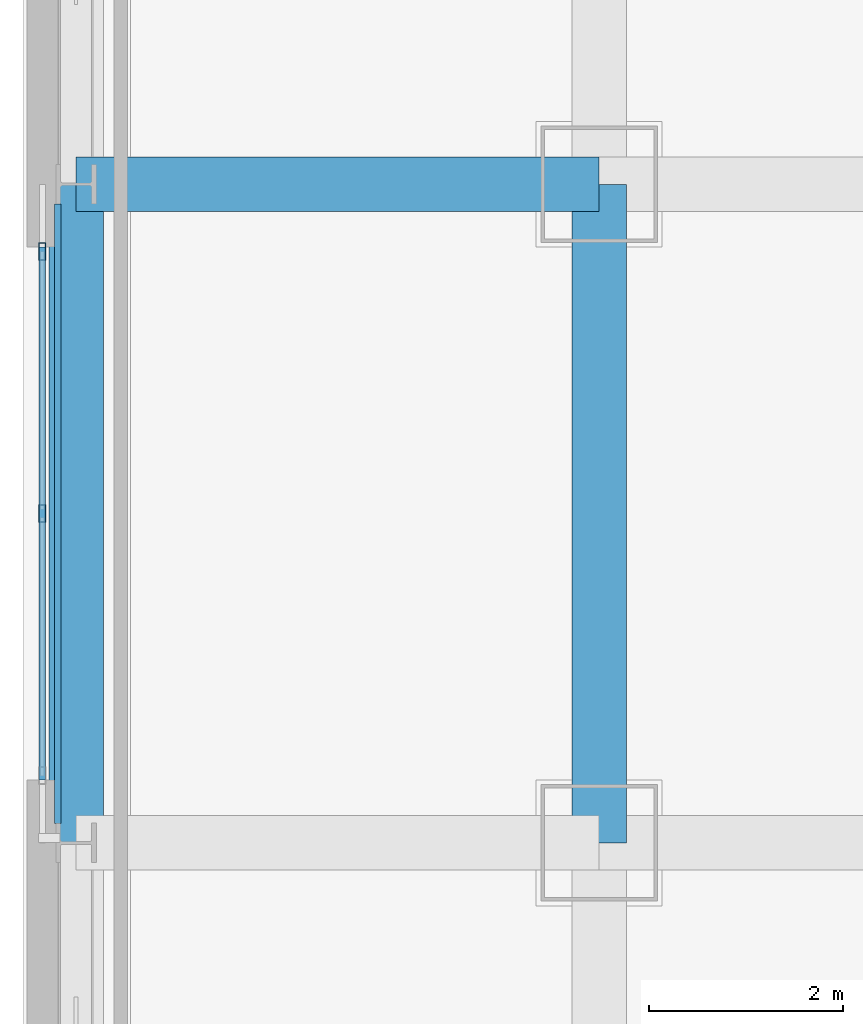
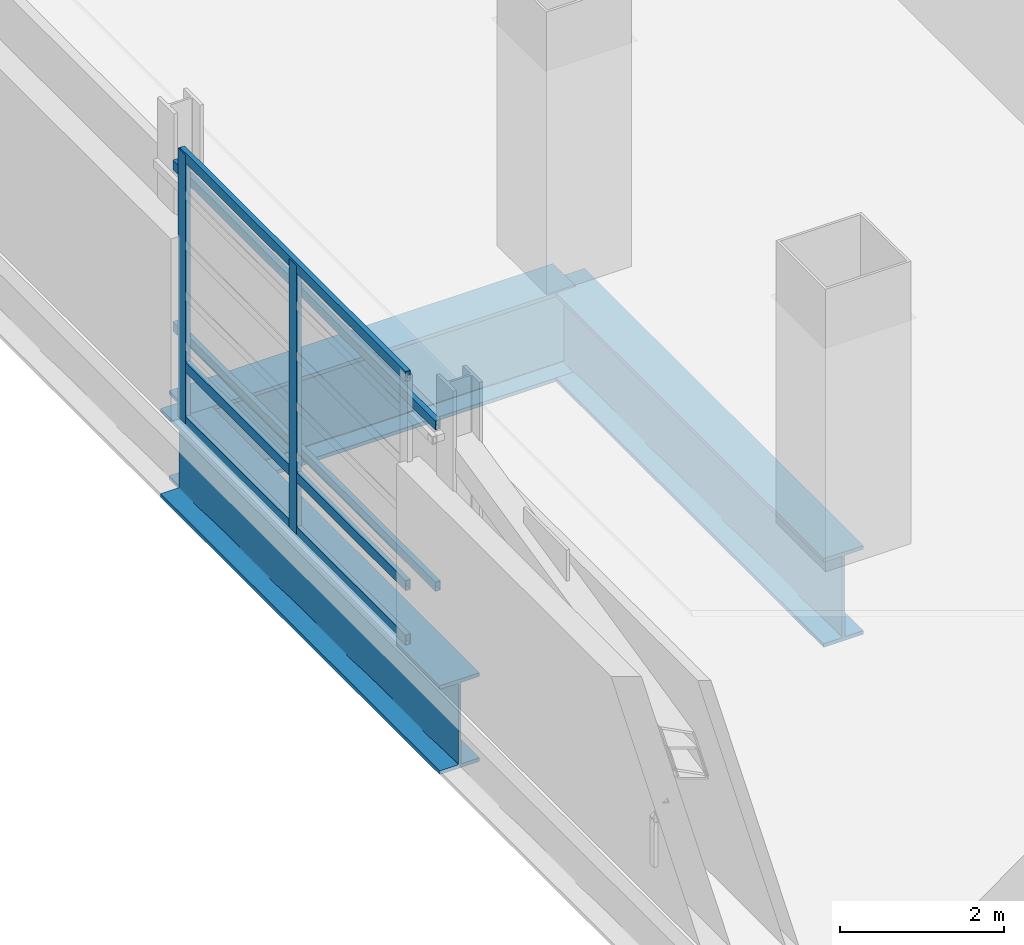
# One storey, part 5 of 31: 7 members, 3 beams, 1 element without a shape of its own.
"""IFC4 building model written with IfcOpenShell, lengths in metres."""

from ifc_helpers import new_model, si_unit, direction, frame, origin, origin_2d, place, context, subcontext, project, spatial, hollow_rectangle, i_section, extrude, material, material_profile, profile_set, type_object, element, aggregate, save


model = new_model("IFC4")

# Units and contexts
model_context = context("Model", 3, precision=1e-05, world=origin(), true_north=direction((0.0, 1.0)))
body_context = subcontext(model_context, "Body", "Model", "MODEL_VIEW")
ifc_project = project(units=[si_unit("LENGTHUNIT", "METRE"), si_unit("AREAUNIT", "SQUARE_METRE"), si_unit("VOLUMEUNIT", "CUBIC_METRE"), si_unit("PLANEANGLEUNIT", "RADIAN"), si_unit("MASSUNIT", "GRAM", prefix="KILO")], contexts=[model_context])

# Site, building, storey
site_placement = place(None, origin())
site = spatial("IfcSite", under=ifc_project, at=site_placement, CompositionType="ELEMENT")
building_placement = place(site_placement, origin())
building = spatial("IfcBuilding", under=site, at=building_placement, Name="Punatoya Terracotta Tower", CompositionType="ELEMENT")
storey_placement = place(building_placement, frame((0.0, 0.0, 283.800048828125)))
storey = spatial("IfcBuildingStorey", under=building, at=storey_placement, Name="L67", CompositionType="ELEMENT", Elevation=283.800048828125)

# Beams
ifc_material_1 = material(Name="Steel S460", Category="steel")
ifc_material_profile_1 = material_profile(ifc_material_1, i_section(OverallWidth=0.56005859375, OverallDepth=1.320068359375, WebThickness=0.035888671875, FlangeThickness=0.054931640625, FilletRadius=0.01806640625, at=origin_2d()))
ifc_profile_set_1 = profile_set([ifc_material_profile_1], Name="Steel S460")
beam_type = type_object("IfcBeamType", Name="BM-TG-BLK", PredefinedType="BEAM", material=ifc_profile_set_1)
beam_1_placement = place(storey_placement, frame((-19.10009765625, -3.39990234375, -0.93994140625), z_axis=(0.0, 1.0, 0.0), x_axis=(-1.0, 0.0, 0.0)))
element("IfcBeam", 1, at=beam_1_placement, inside=storey, type_object=beam_type, Name="BM-L67-RG-W2", PredefinedType="BEAM", context=body_context, shape_type="SweptSolid", body=[
    extrude(i_section(OverallWidth=0.56005859375, OverallDepth=1.320068359375, WebThickness=0.035888671875, FlangeThickness=0.054931640625, FilletRadius=0.01806640625, at=origin_2d()), origin(), (0.0, 0.0, 1.0), 6.7998046875),
])
beam_2_placement = place(storey_placement, frame((-24.5, 3.39990234375, -0.93994140625), z_axis=(1.0, 0.0, 0.0), x_axis=(0.0, 1.0, 0.0)))
element("IfcBeam", 2, at=beam_2_placement, inside=storey, type_object=beam_type, Name="BM-L67-CANT-W3", PredefinedType="BEAM", context=body_context, shape_type="SweptSolid", body=[
    extrude(i_section(OverallWidth=0.56005859375, OverallDepth=1.320068359375, WebThickness=0.035888671875, FlangeThickness=0.054931640625, FilletRadius=0.01806640625, at=origin_2d()), origin(), (0.0, 0.0, 1.0), 5.39990234375),
])
beam_3_placement = place(storey_placement, frame((-24.5, -3.39990234375, -0.93994140625), z_axis=(0.0, 1.0, 0.0), x_axis=(-1.0, 0.0, 0.0)))
element("IfcBeam", 3, at=beam_3_placement, inside=storey, type_object=beam_type, Name="BM-L67-PER-W2", PredefinedType="BEAM", context=body_context, shape_type="SweptSolid", body=[
    extrude(i_section(OverallWidth=0.56005859375, OverallDepth=1.320068359375, WebThickness=0.035888671875, FlangeThickness=0.054931640625, FilletRadius=0.01806640625, at=origin_2d()), origin(), (0.0, 0.0, 1.0), 6.7998046875),
])

# Curtain wall, members
ifc_material_2 = material(Name="Aluminium 6063-T6 + Double Low-E Glass", Category="aluminium")
curtain_wall_type = type_object("IfcCurtainWallType", Name="CW-M3", PredefinedType="NOTDEFINED", material=ifc_material_2)
curtain_wall_placement = place(storey_placement, origin())
curtain_wall = element("IfcCurtainWall", 4, at=curtain_wall_placement, inside=storey, type_object=curtain_wall_type, Name="L67 Curtain Wall CW-L67-W13-1", PredefinedType="NOTDEFINED")
ifc_material_3 = material(Name="Aluminium 6063-T6", Category="aluminium")
ifc_material_profile_2 = material_profile(ifc_material_3, hollow_rectangle(XDim=0.070068359375, YDim=0.179931640625, WallThickness=0.00390625, at=origin_2d()))
ifc_profile_set_2 = profile_set([ifc_material_profile_2], Name="Aluminium 6063-T6")
member_type_1 = type_object("IfcMemberType", Name="CW-MUL-M3", PredefinedType="MULLION", material=ifc_profile_set_2)
member_1_placement = place(storey_placement, frame((-24.85009765625, 2.705078125, 0.0), z_axis=(0.0, 0.0, 1.0), x_axis=(1.0, 0.0, 0.0)))
member_1 = element("IfcMember", 5, at=member_1_placement, type_object=member_type_1, Name="CW-L67-W13-1 Mullion 00", PredefinedType="MULLION", context=body_context, shape_type="SweptSolid", body=[
    extrude(hollow_rectangle(XDim=0.070068359375, YDim=0.179931640625, WallThickness=0.00390625, at=origin_2d()), origin(), (0.0, 0.0, 1.0), 4.0),
])
member_2_placement = place(storey_placement, frame((-24.85009765625, 0.0, 0.0), z_axis=(0.0, 0.0, 1.0), x_axis=(1.0, 0.0, 0.0)))
member_2 = element("IfcMember", 6, at=member_2_placement, type_object=member_type_1, Name="CW-L67-W13-1 Mullion 01", PredefinedType="MULLION", context=body_context, shape_type="SweptSolid", body=[
    extrude(hollow_rectangle(XDim=0.070068359375, YDim=0.179931640625, WallThickness=0.00390625, at=origin_2d()), origin(), (0.0, 0.0, 1.0), 4.0),
])
ifc_material_profile_3 = material_profile(ifc_material_3, hollow_rectangle(XDim=0.068115234375, YDim=0.14990234375, WallThickness=0.00390625, at=origin_2d()))
ifc_profile_set_3 = profile_set([ifc_material_profile_3], Name="Aluminium 6063-T6")
member_type_2 = type_object("IfcMemberType", Name="CW-TRN-TYP", PredefinedType="USERDEFINED", material=ifc_profile_set_3)
member_3_placement = place(storey_placement, frame((-24.85009765625, 2.75, 0.0400390625), z_axis=(0.0, -1.0, 0.0), x_axis=(1.0, 0.0, 0.0)))
member_3 = element("IfcMember", 7, at=member_3_placement, type_object=member_type_2, Name="CW-L67-W13-1 Transom 1", ObjectType="TRANSOM", PredefinedType="USERDEFINED", context=body_context, shape_type="SweptSolid", body=[
    extrude(hollow_rectangle(XDim=0.068115234375, YDim=0.14990234375, WallThickness=0.00390625, at=origin_2d()), origin(), (0.0, 0.0, 1.0), 5.5),
])
member_4_placement = place(storey_placement, frame((-24.85009765625, 2.75, 0.849853515625), z_axis=(0.0, -1.0, 0.0), x_axis=(1.0, 0.0, 0.0)))
member_4 = element("IfcMember", 8, at=member_4_placement, type_object=member_type_2, Name="CW-L67-W13-1 Transom 2", ObjectType="TRANSOM", PredefinedType="USERDEFINED", context=body_context, shape_type="SweptSolid", body=[
    extrude(hollow_rectangle(XDim=0.068115234375, YDim=0.14990234375, WallThickness=0.00390625, at=origin_2d()), origin(), (0.0, 0.0, 1.0), 5.5),
])
member_5_placement = place(storey_placement, frame((-24.85009765625, 2.75, 3.9599609375), z_axis=(0.0, -1.0, 0.0), x_axis=(1.0, 0.0, 0.0)))
member_5 = element("IfcMember", 9, at=member_5_placement, type_object=member_type_2, Name="CW-L67-W13-1 Transom 3", ObjectType="TRANSOM", PredefinedType="USERDEFINED", context=body_context, shape_type="SweptSolid", body=[
    extrude(hollow_rectangle(XDim=0.068115234375, YDim=0.14990234375, WallThickness=0.00390625, at=origin_2d()), origin(), (0.0, 0.0, 1.0), 5.5),
])
aggregate(curtain_wall, [member_1, member_2, member_3, member_4, member_5])

# Members
ifc_material_4 = material(Name="Steel S355", Category="steel")
ifc_material_profile_4 = material_profile(ifc_material_4, hollow_rectangle(XDim=0.070068359375, YDim=0.139892578125, WallThickness=0.006103515625, at=origin_2d()))
ifc_profile_set_4 = profile_set([ifc_material_profile_4], Name="Steel S355")
member_type_3 = type_object("IfcMemberType", Name="MEM-BAG-RAIL", PredefinedType="USERDEFINED", material=ifc_profile_set_4)
for number, where, z_axis, x_axis, name in (
    (10, (-24.68994140625, -3.197509765625, 1.050048828125), (0.0, 1.0, 0.0), (-1.0, 0.0, 0.0), "L67 Terracotta Baguette Carrier Rail BAG-L67-W-R1"),
    (11, (-24.68994140625, -3.197509765625, 3.449951171875), (0.0, 1.0, 0.0), (-1.0, 0.0, 0.0), "L67 Terracotta Baguette Carrier Rail BAG-L67-W-R2"),
):
    element("IfcMember", number, at=place(storey_placement, frame(where, z_axis=z_axis, x_axis=x_axis)), inside=storey, type_object=member_type_3, Name=name, ObjectType="BAGUETTE", PredefinedType="USERDEFINED", context=body_context, shape_type="SweptSolid", body=[
        extrude(hollow_rectangle(XDim=0.070068359375, YDim=0.139892578125, WallThickness=0.006103515625, at=origin_2d()), origin(), (0.0, 0.0, 1.0), 6.39501953125),
    ])

save(model, "model.ifc")
